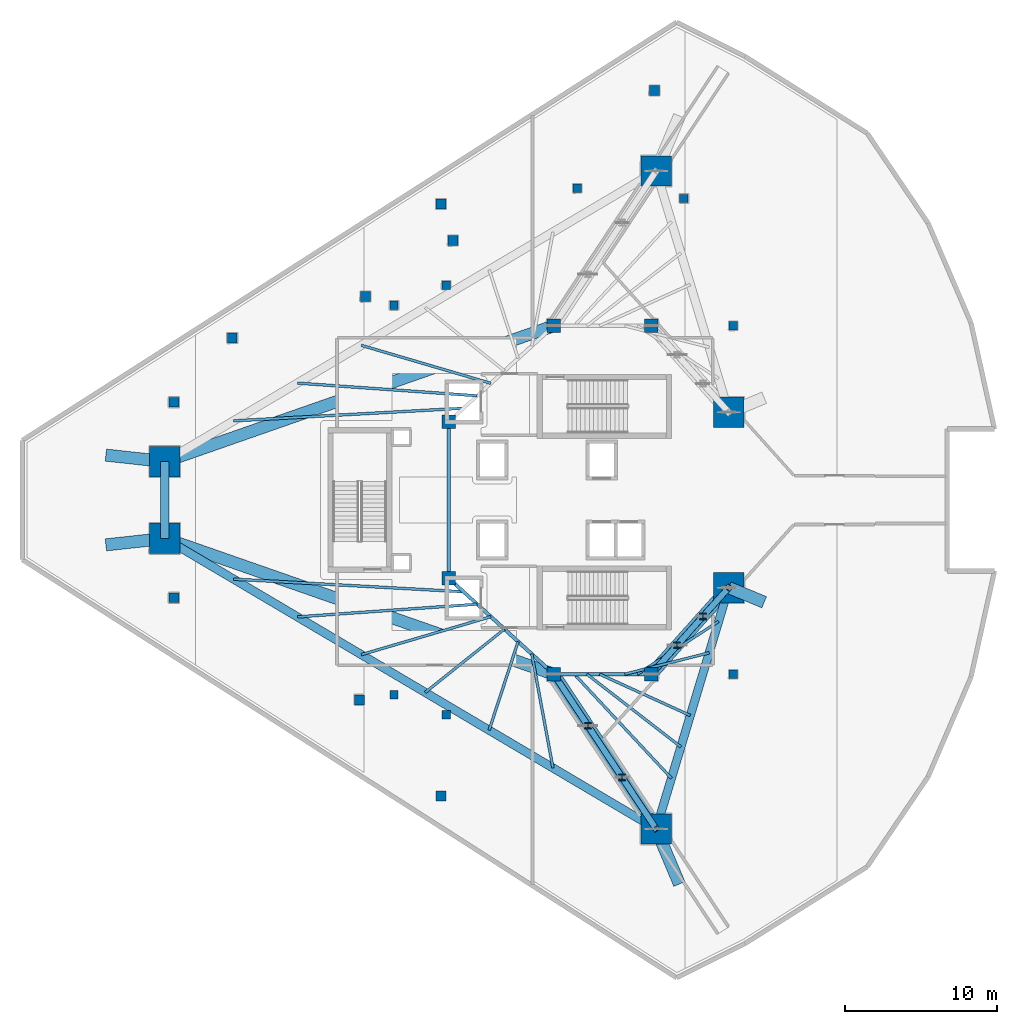
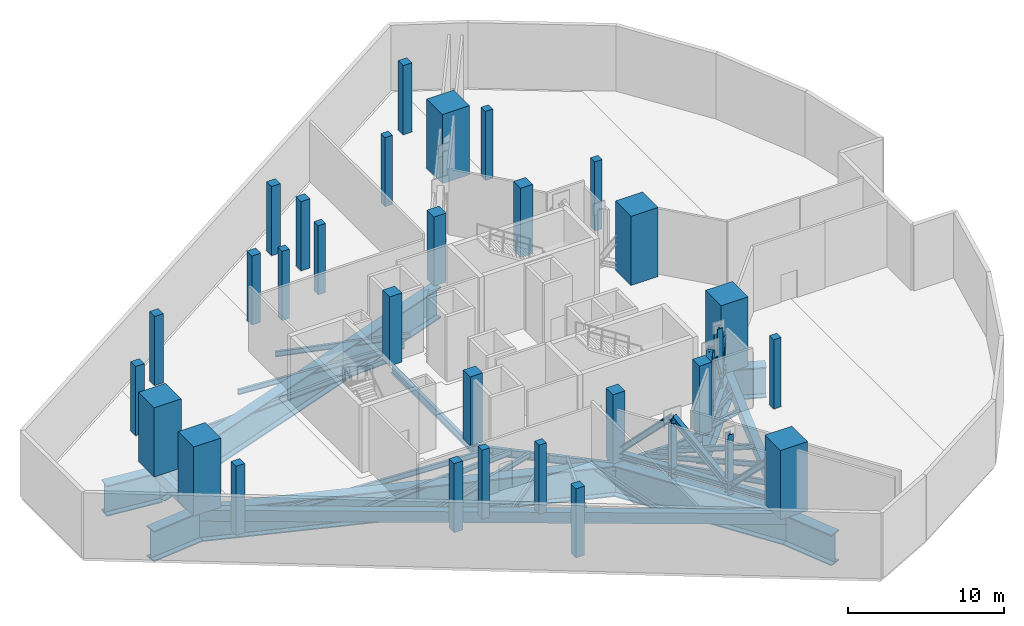
# One storey, part 1 of 13: 29 columns, 28 beams, 16 members.
"""IFC4 building model written with IfcOpenShell, lengths in metres."""

import ifcopenshell
import ifcopenshell.guid

model = None  # the IFC model being written
_history = None  # IfcOwnerHistory: only IFC2X3 demands one
_inside = {}  # id of a spatial element -> (the spatial element, [elements in it])
_under = {}  # id of a project, library or spatial element -> (it, [spatial elements below it])
_declared = {}  # id of a project -> (the project, [libraries it declares])
_typed = {}  # id of a type object -> (the type object, [elements of that type])
_made_of = {}  # id of a material, layer set ... -> (it, [elements and type objects made of it])


def new_model(schema):
    """Start an empty IFC model of exactly this schema.

    Asked for "IFC4X3", IfcOpenShell would pick the latest addendum, in which some entities
    have other attributes; the version numbers below select the first issue.
    IFC2X3 requires an IfcOwnerHistory on every rooted entity: one is made here for all.
    """
    global model, _history
    if schema == "IFC4X3":
        model = ifcopenshell.file(schema_version=(4, 3, 0, 0))
    else:
        model = ifcopenshell.file(schema=schema)
    _inside.clear()
    _under.clear()
    _declared.clear()
    _typed.clear()
    _made_of.clear()
    _history = None
    if model.schema == "IFC2X3":
        org = make("IfcOrganization", Name="unknown")
        user = make(
            "IfcPersonAndOrganization",
            ThePerson=make("IfcPerson", FamilyName="unknown"),
            TheOrganization=org,
        )
        app = make(
            "IfcApplication",
            ApplicationDeveloper=org,
            Version="unknown",
            ApplicationFullName="unknown",
            ApplicationIdentifier="unknown",
        )
        _history = make(
            "IfcOwnerHistory",
            OwningUser=user,
            OwningApplication=app,
            ChangeAction="ADDED",
            CreationDate=0,
        )
    return model


def make(cls, **values):
    """One entity of the class cls with the attributes given. An attribute that is None is left unset."""
    return model.create_entity(
        cls, **{name: value for name, value in values.items() if value is not None}
    )


def rooted(cls, **values):
    """An entity with a GlobalId (a new one), such as an element, a storey or a relation."""
    return make(cls, GlobalId=ifcopenshell.guid.new(), OwnerHistory=_history, **values)


def si_unit(unit_type, name, prefix=None):
    """IfcSIUnit, for example si_unit("LENGTHUNIT", "METRE", prefix="MILLI")."""
    return make("IfcSIUnit", UnitType=unit_type, Prefix=prefix, Name=name)


def assignment(units):
    """IfcUnitAssignment: the units of a project."""
    return None if units is None else make("IfcUnitAssignment", Units=units)


def point(xyz):
    """IfcCartesianPoint."""
    return None if xyz is None else make("IfcCartesianPoint", Coordinates=xyz)


def direction(xyz):
    """IfcDirection."""
    return None if xyz is None else make("IfcDirection", DirectionRatios=xyz)


def frame(location, z_axis=None, x_axis=None):
    """IfcAxis2Placement3D, a coordinate frame: its origin and axes. An axis left out is left unset."""
    return make(
        "IfcAxis2Placement3D",
        Location=point(location),
        Axis=direction(z_axis),
        RefDirection=direction(x_axis),
    )


def frame_2d(location, x_axis=None):
    """IfcAxis2Placement2D, a coordinate frame in the plane: its origin and x axis."""
    return make(
        "IfcAxis2Placement2D", Location=point(location), RefDirection=direction(x_axis)
    )


def origin():
    """The frame at (0, 0, 0) with its axes left unset."""
    return frame((0.0, 0.0, 0.0))


def origin_2d():
    """The frame at (0, 0) in the plane with its x axis left unset."""
    return frame_2d((0.0, 0.0))


def place(relative_to, where):
    """IfcLocalPlacement: puts the frame where relative to a parent placement (None: the world)."""
    return make(
        "IfcLocalPlacement", PlacementRelTo=relative_to, RelativePlacement=where
    )


def context(
    kind, dimensions, precision=None, world=None, true_north=None, identifier=None
):
    """IfcGeometricRepresentationContext, for example the 3D "Model" context."""
    return make(
        "IfcGeometricRepresentationContext",
        ContextIdentifier=identifier,
        ContextType=kind,
        CoordinateSpaceDimension=dimensions,
        Precision=precision,
        WorldCoordinateSystem=world,
        TrueNorth=true_north,
    )


def subcontext(parent, identifier, kind, view, scale=None):
    """IfcGeometricRepresentationSubContext, for example "Body" below "Model"."""
    return make(
        "IfcGeometricRepresentationSubContext",
        ContextIdentifier=identifier,
        ContextType=kind,
        ParentContext=parent,
        TargetScale=scale,
        TargetView=view,
    )


def project(units=None, contexts=None):
    """IfcProject with its units and contexts."""
    return rooted(
        "IfcProject",
        Name="project",
        RepresentationContexts=contexts,
        UnitsInContext=assignment(units),
    )


def spatial(cls, under=None, at=None, **own):
    """A site, building, storey or space (cls), placed at a placement, below another one or the project."""
    s = rooted(cls, ObjectPlacement=at, **own)
    if under is not None:
        _under.setdefault(under.id(), (under, []))[1].append(s)
    return s


def profile(cls, at=None, kind="AREA", **sizes):
    """A parametric profile (cls). Its sizes go by their IFC names, for example OverallWidth=200.0."""
    return make(cls, ProfileType=kind, Position=at, **sizes)


def rectangle(**sizes):
    """IfcRectangleProfileDef."""
    return profile("IfcRectangleProfileDef", **sizes)


def i_section(**sizes):
    """IfcIShapeProfileDef."""
    return profile("IfcIShapeProfileDef", **sizes)


def extrude(swept, where, along, depth):
    """IfcExtrudedAreaSolid: the profile swept, set in the frame where, extruded along a direction by depth."""
    return make(
        "IfcExtrudedAreaSolid",
        SweptArea=swept,
        Position=where,
        ExtrudedDirection=direction(along),
        Depth=depth,
    )


def shape(context_of_items, identifier, shape_type, items):
    """IfcShapeRepresentation: the items that make up one representation, for example the "Body"."""
    return make(
        "IfcShapeRepresentation",
        ContextOfItems=context_of_items,
        RepresentationIdentifier=identifier,
        RepresentationType=shape_type,
        Items=items,
    )


def material(Name=None, Category=None):
    """IfcMaterial."""
    return make("IfcMaterial", Name=Name, Category=Category)


def material_profile(
    of_material, cross_section, Name=None, Category=None, Priority=None
):
    """IfcMaterialProfile: a cross section and its material."""
    return make(
        "IfcMaterialProfile",
        Name=Name,
        Material=of_material,
        Profile=cross_section,
        Priority=Priority,
        Category=Category,
    )


def profile_set(profiles, Name=None, composite=None):
    """IfcMaterialProfileSet."""
    return make(
        "IfcMaterialProfileSet",
        Name=Name,
        MaterialProfiles=profiles,
        CompositeProfile=composite,
    )


def made_of(thing, what):
    """Note that an element or type object is made of a material, layer set ...; save() writes the relation."""
    if what is not None:
        _made_of.setdefault(what.id(), (what, []))[1].append(thing)
    return thing


def type_object(cls, material=None, **own):
    """A type object (cls), such as IfcWallType, which elements share."""
    return made_of(rooted(cls, **own), material)


def element(
    cls,
    number,
    at=None,
    inside=None,
    cuts=None,
    type_object=None,
    material=None,
    context=None,
    identifier="Body",
    shape_type=None,
    held_by="IfcProductDefinitionShape",
    body=None,
    shapes=None,
    **own,
):
    """One element of the class cls, such as IfcWall. Its Tag is "e" and its number.

    at: its placement. inside: the storey or other place that contains it. cuts: it is an
    opening in that element (IfcRelVoidsElement). A single representation is given by context,
    identifier, shape_type and body (its items); several are given by shapes. held_by: the class
    of the entity that holds the representations. save() writes the other relations.
    """
    e = rooted(cls, Tag="e%d" % number, ObjectPlacement=at, **own)
    if body is not None:
        shapes = [shape(context, identifier, shape_type, body)]
    if shapes is not None:
        e.Representation = make(held_by, Representations=shapes)
    if inside is not None:
        _inside.setdefault(inside.id(), (inside, []))[1].append(e)
    if cuts is not None:
        rooted(
            "IfcRelVoidsElement", RelatingBuildingElement=cuts, RelatedOpeningElement=e
        )
    if type_object is not None:
        _typed.setdefault(type_object.id(), (type_object, []))[1].append(e)
    return made_of(e, material)


def aggregate(whole, parts):
    """IfcRelAggregates: a whole, such as a stair, and the parts it consists of."""
    return rooted("IfcRelAggregates", RelatingObject=whole, RelatedObjects=parts)


def save(model, path):
    """Write the relations noted so far, then the file.

    IfcRelAggregates (storeys below a building ...), IfcRelContainedInSpatialStructure (elements
    in a storey), IfcRelDefinesByType, IfcRelAssociatesMaterial and IfcRelDeclares: one each for
    every whole, place, type object, material and project.
    """
    for whole, parts in _under.values():
        aggregate(whole, parts)
    for where, things in _inside.values():
        rooted(
            "IfcRelContainedInSpatialStructure",
            RelatedElements=things,
            RelatingStructure=where,
        )
    for kind, things in _typed.values():
        rooted("IfcRelDefinesByType", RelatedObjects=things, RelatingType=kind)
    for what, things in _made_of.values():
        rooted("IfcRelAssociatesMaterial", RelatedObjects=things, RelatingMaterial=what)
    for by, libraries in _declared.values():
        rooted("IfcRelDeclares", RelatingContext=by, RelatedDefinitions=libraries)
    model.write(path)


model = new_model("IFC4")

# Units and contexts
model_context = context("Model", 3, precision=1e-05, world=origin(), true_north=direction((0.0, 1.0)))
body_context = subcontext(model_context, "Body", "Model", "MODEL_VIEW")
ifc_project = project(units=[si_unit("LENGTHUNIT", "METRE"), si_unit("AREAUNIT", "SQUARE_METRE"), si_unit("VOLUMEUNIT", "CUBIC_METRE"), si_unit("PLANEANGLEUNIT", "RADIAN"), si_unit("MASSUNIT", "GRAM", prefix="KILO")], contexts=[model_context])

# Site, building, storey
site_placement = place(None, origin())
site = spatial("IfcSite", under=ifc_project, at=site_placement, CompositionType="ELEMENT")
building_placement = place(site_placement, origin())
building = spatial("IfcBuilding", under=site, at=building_placement, Name="Qorvath Tower", CompositionType="ELEMENT")
storey_placement = place(building_placement, frame((0.0, 0.0, 174.60009765625)))
storey = spatial("IfcBuildingStorey", under=building, at=storey_placement, Name="L40", CompositionType="ELEMENT", Elevation=174.60009765625)

# Columns
ifc_material_1 = material(Name="Concrete C60/75", Category="concrete")
ifc_material_profile_1 = material_profile(ifc_material_1, rectangle(XDim=2.0, YDim=2.0, at=origin_2d()), Name="MC 2000x2000")
ifc_profile_set_1 = profile_set([ifc_material_profile_1], Name="Concrete C60/75")
column_type_1 = type_object("IfcColumnType", Name="COL-MC3", PredefinedType="COLUMN", material=ifc_profile_set_1)
for number, where, z_axis, x_axis, name in (
    (1, (-49.171875, 2.52783203125, 0.0), (0.0, 0.0, 1.0), (1.0, 0.0, 0.0), "Composite Mega-Column MC1 L40"),
    (2, (-49.171875, -2.52783203125, 0.0), (0.0, 0.0, 1.0), (1.0, 0.0, 0.0), "Composite Mega-Column MC2 L40"),
    (3, (-16.87158203125, -21.627197265625, 0.0), (0.0, 0.0, 1.0), (1.0, 0.0, 0.0), "Composite Mega-Column MC3 L40"),
    (4, (-12.0966796875, -5.7578125, 0.0), (0.0, 0.0, 1.0), (1.0, 0.0, 0.0), "Composite Mega-Column MC4 L40"),
    (5, (-12.0966796875, 5.7578125, 0.0), (0.0, 0.0, 1.0), (1.0, 0.0, 0.0), "Composite Mega-Column MC5 L40"),
    (6, (-16.87158203125, 21.627197265625, 0.0), (0.0, 0.0, 1.0), (1.0, 0.0, 0.0), "Composite Mega-Column MC6 L40"),
):
    element("IfcColumn", number, at=place(storey_placement, frame(where, z_axis=z_axis, x_axis=x_axis)), inside=storey, type_object=column_type_1, Name=name, PredefinedType="COLUMN", context=body_context, shape_type="SweptSolid", body=[
        extrude(rectangle(XDim=2.0, YDim=2.0, at=origin_2d()), origin(), (0.0, 0.0, 1.0), 5.39990234375),
    ])
ifc_material_2 = material(Name="Concrete C50/60", Category="concrete")
ifc_material_profile_2 = material_profile(ifc_material_2, rectangle(XDim=0.89990234375, YDim=0.89990234375, at=origin_2d()), Name="RC 900x900")
ifc_profile_set_2 = profile_set([ifc_material_profile_2], Name="Concrete C50/60")
column_type_2 = type_object("IfcColumnType", Name="COL-RC3", PredefinedType="COLUMN", material=ifc_profile_set_2)
for number, where, z_axis, x_axis, name in (
    (7, (-23.60009765625, 11.449951171875, 0.0), (0.0, 0.0, 1.0), (1.0, 0.0, 0.0), "Core Spine Column CC1 L40"),
    (8, (-17.199951171875, 11.449951171875, 0.0), (0.0, 0.0, 1.0), (1.0, 0.0, 0.0), "Core Spine Column CC2 L40"),
    (9, (-17.199951171875, -11.449951171875, 0.0), (0.0, 0.0, 1.0), (1.0, 0.0, 0.0), "Core Spine Column CC3 L40"),
    (10, (-23.60009765625, -11.449951171875, 0.0), (0.0, 0.0, 1.0), (1.0, 0.0, 0.0), "Core Spine Column CC4 L40"),
    (11, (-30.5, 5.14990234375, 0.0), (0.0, 0.0, 1.0), (1.0, 0.0, 0.0), "Core Spine Column CC5 L40"),
    (12, (-30.5, -5.14990234375, 0.0), (0.0, 0.0, 1.0), (1.0, 0.0, 0.0), "Core Spine Column CC6 L40"),
):
    element("IfcColumn", number, at=place(storey_placement, frame(where, z_axis=z_axis, x_axis=x_axis)), inside=storey, type_object=column_type_2, Name=name, PredefinedType="COLUMN", context=body_context, shape_type="SweptSolid", body=[
        extrude(rectangle(XDim=0.89990234375, YDim=0.89990234375, at=origin_2d()), origin(), (0.0, 0.0, 1.0), 5.39990234375),
    ])
ifc_material_3 = material(Name="Concrete C45/55", Category="concrete")
ifc_material_profile_3 = material_profile(ifc_material_3, rectangle(XDim=0.64990234375, YDim=0.64990234375, at=origin_2d()), Name="RC 650x650")
ifc_profile_set_3 = profile_set([ifc_material_profile_3], Name="Concrete C45/55")
column_type_3 = type_object("IfcColumnType", Name="COL-RC6", PredefinedType="COLUMN", material=ifc_profile_set_3)
for number, where, z_axis, x_axis, name in (
    (13, (-31.01611328125, 19.46044921875, 0.0), (0.0, 0.0, 1.0), (1.0, 0.0, 0.0), "Loggia Frame Pier Column LGD1 L40"),
    (14, (-31.01611328125, -19.46044921875, 0.0), (0.0, 0.0, 1.0), (1.0, 0.0, 0.0), "Loggia Frame Pier Column LGD2 L40"),
    (15, (-44.736328125, 10.65234375, 0.0), (0.0, 0.0, 1.0), (1.0, 0.0, 0.0), "Loggia Frame Pier Column LGD3 L40"),
    (16, (-48.578369140625, 6.424560546875, 0.0), (0.0, 0.0, 1.0), (1.0, 0.0, 0.0), "Loggia Frame Pier Column LGE1 L40"),
    (17, (-48.578369140625, -6.424560546875, 0.0), (0.0, 0.0, 1.0), (1.0, 0.0, 0.0), "Loggia Frame Pier Column LGE2 L40"),
    (18, (-16.981201171875, 26.92919921875, 0.0), (0.0, 0.0, 1.0), (1.0, 0.0, 0.0), "Loggia Frame Pier Column LGE3 L40"),
    (19, (-35.980712890625, 13.380859375, 0.0), (0.0, 0.0, 1.0), (1.0, 0.0, 0.0), "Loggia Frame Pier Column LGF1 L40"),
    (20, (-36.36474609375, -13.135498046875, 0.0), (0.0, 0.0, 1.0), (1.0, 0.0, 0.0), "Loggia Frame Pier Column LGF2 L40"),
    (21, (-30.224853515625, 17.0595703125, 0.0), (0.0, 0.0, 1.0), (1.0, 0.0, 0.0), "Loggia Frame Pier Column LGF3 L40"),
):
    element("IfcColumn", number, at=place(storey_placement, frame(where, z_axis=z_axis, x_axis=x_axis)), inside=storey, type_object=column_type_3, Name=name, PredefinedType="COLUMN", context=body_context, shape_type="SweptSolid", body=[
        extrude(rectangle(XDim=0.64990234375, YDim=0.64990234375, at=origin_2d()), origin(), (0.0, 0.0, 1.0), 5.39990234375),
    ])
ifc_material_4 = material(Name="Concrete C45/55", Category="concrete")
ifc_material_profile_4 = material_profile(ifc_material_4, rectangle(XDim=0.550048828125, YDim=0.550048828125, at=origin_2d()), Name="RC 550x550")
ifc_profile_set_4 = profile_set([ifc_material_profile_4], Name="Concrete C45/55")
column_type_4 = type_object("IfcColumnType", Name="COL-RC7", PredefinedType="COLUMN", material=ifc_profile_set_4)
for number, where, z_axis, x_axis, name in (
    (22, (-34.104248046875, 12.79248046875, 0.0), (0.0, 0.0, 1.0), (1.0, 0.0, 0.0), "Loggia Frame Pier Column LGG1 L40"),
    (23, (-34.104248046875, -12.79248046875, 0.0), (0.0, 0.0, 1.0), (1.0, 0.0, 0.0), "Loggia Frame Pier Column LGG2 L40"),
    (24, (-22.05322265625, 20.494873046875, 0.0), (0.0, 0.0, 1.0), (1.0, 0.0, 0.0), "Loggia Frame Pier Column LGG3 L40"),
    (25, (-30.67724609375, 14.124267578125, 0.0), (0.0, 0.0, 1.0), (1.0, 0.0, 0.0), "Loggia Frame Pier Column LGH1 L40"),
    (26, (-30.67724609375, -14.124267578125, 0.0), (0.0, 0.0, 1.0), (1.0, 0.0, 0.0), "Loggia Frame Pier Column LGH2 L40"),
    (27, (-15.046142578125, 19.818115234375, 0.0), (0.0, 0.0, 1.0), (1.0, 0.0, 0.0), "Loggia Frame Pier Column LGH3 L40"),
    (28, (-11.800048828125, -11.449951171875, 0.0), (0.0, 0.0, 1.0), (1.0, 0.0, 0.0), "Central Slot Jamb Column SC1 L40"),
    (29, (-11.800048828125, 11.449951171875, 0.0), (0.0, 0.0, 1.0), (1.0, 0.0, 0.0), "Central Slot Jamb Column SC2 L40"),
):
    element("IfcColumn", number, at=place(storey_placement, frame(where, z_axis=z_axis, x_axis=x_axis)), inside=storey, type_object=column_type_4, Name=name, PredefinedType="COLUMN", context=body_context, shape_type="SweptSolid", body=[
        extrude(rectangle(XDim=0.550048828125, YDim=0.550048828125, at=origin_2d()), origin(), (0.0, 0.0, 1.0), 5.39990234375),
    ])

# Beams
ifc_material_5 = material(Name="Steel ASTM A992 Grade 50", Category="steel")
ifc_material_profile_5 = material_profile(ifc_material_5, i_section(OverallWidth=0.22998046875, OverallDepth=0.616943359375, WebThickness=0.01318359375, FlangeThickness=0.022216796875, FilletRadius=0.014892578125, at=origin_2d()), Name="W24x94")
ifc_profile_set_5 = profile_set([ifc_material_profile_5], Name="Steel ASTM A992 Grade 50")
beam_type_1 = type_object("IfcBeamType", Name="BM-FG6", PredefinedType="BEAM", material=ifc_profile_set_5)
beam_1_placement = place(storey_placement, frame((-17.199951171875, -11.449951171875, -0.608642578125), z_axis=(-1.0, 0.0, 0.0), x_axis=(0.0, -1.0, 0.0)))
element("IfcBeam", 30, at=beam_1_placement, inside=storey, type_object=beam_type_1, Name="Core Ring Girder CC3-CC4 L40", PredefinedType="BEAM", context=body_context, shape_type="SweptSolid", body=[
    extrude(i_section(OverallWidth=0.22998046875, OverallDepth=0.616943359375, WebThickness=0.01318359375, FlangeThickness=0.022216796875, FilletRadius=0.014892578125, at=origin_2d()), origin(), (0.0, 0.0, 1.0), 6.400146484375),
])
beam_2_placement = place(storey_placement, frame((-23.60009765625, -11.449951171875, -0.608642578125), z_axis=(-0.73847813985, 0.6742774184, 0.0), x_axis=(-0.6742774184, -0.73847813985, 0.0)))
element("IfcBeam", 31, at=beam_2_placement, inside=storey, type_object=beam_type_1, Name="Core Ring Girder CC4-CC6 L40", PredefinedType="BEAM", context=body_context, shape_type="SweptSolid", body=[
    extrude(i_section(OverallWidth=0.22998046875, OverallDepth=0.616943359375, WebThickness=0.01318359375, FlangeThickness=0.022216796875, FilletRadius=0.014892578125, at=origin_2d()), origin(), (0.0, 0.0, 1.0), 9.343505859375),
])
beam_3_placement = place(storey_placement, frame((-30.5, -5.14990234375, -0.608642578125), z_axis=(0.0, 1.0, 0.0), x_axis=(-1.0, 0.0, 0.0)))
element("IfcBeam", 32, at=beam_3_placement, inside=storey, type_object=beam_type_1, Name="Core Ring Girder CC6-CC5 L40", PredefinedType="BEAM", context=body_context, shape_type="SweptSolid", body=[
    extrude(i_section(OverallWidth=0.22998046875, OverallDepth=0.616943359375, WebThickness=0.01318359375, FlangeThickness=0.022216796875, FilletRadius=0.014892578125, at=origin_2d()), origin(), (0.0, 0.0, 1.0), 10.2998046875),
])
ifc_material_6 = material(Name="Steel ASTM A992 Grade 50", Category="steel")
ifc_material_profile_6 = material_profile(ifc_material_6, i_section(OverallWidth=0.177978515625, OverallDepth=0.406005859375, WebThickness=0.0078125, FlangeThickness=0.0126953125, FilletRadius=0.010986328125, at=origin_2d()), Name="W16x40")
ifc_profile_set_6 = profile_set([ifc_material_profile_6], Name="Steel ASTM A992 Grade 50")
beam_type_2 = type_object("IfcBeamType", Name="BM-FJ3", PredefinedType="JOIST", material=ifc_profile_set_6)
beam_4_placement = place(storey_placement, frame((-18.095947265625, -11.449951171875, -0.503173828125), z_axis=(0.838041756057, 0.545606098853, 0.0), x_axis=(-0.545606098853, 0.838041756057, 0.0)))
element("IfcBeam", 33, at=beam_4_placement, inside=storey, type_object=beam_type_2, Name="Composite Floor Joist SE1 L40", PredefinedType="JOIST", context=body_context, shape_type="SweptSolid", body=[
    extrude(i_section(OverallWidth=0.177978515625, OverallDepth=0.406005859375, WebThickness=0.0078125, FlangeThickness=0.0126953125, FilletRadius=0.010986328125, at=origin_2d()), origin(), (0.0, 0.0, 1.0), 6.36083984375),
])
beam_5_placement = place(storey_placement, frame((-18.927978515625, -11.449951171875, -0.503173828125), z_axis=(0.969231577698, 0.246150662794, 0.0), x_axis=(-0.246150662794, 0.969231577698, 0.0)))
element("IfcBeam", 34, at=beam_5_placement, inside=storey, type_object=beam_type_2, Name="Composite Floor Joist SE2 L40", PredefinedType="JOIST", context=body_context, shape_type="SweptSolid", body=[
    extrude(i_section(OverallWidth=0.177978515625, OverallDepth=0.406005859375, WebThickness=0.0078125, FlangeThickness=0.0126953125, FilletRadius=0.010986328125, at=origin_2d()), origin(), (0.0, 0.0, 1.0), 5.718017578125),
])
beam_6_placement = place(storey_placement, frame((-20.592041015625, -11.449951171875, -0.503173828125), z_axis=(0.909945081179, -0.414728765868, 0.0), x_axis=(0.414728765868, 0.909945081179, 0.0)))
element("IfcBeam", 35, at=beam_6_placement, inside=storey, type_object=beam_type_2, Name="Composite Floor Joist SE4 L40", PredefinedType="JOIST", context=body_context, shape_type="SweptSolid", body=[
    extrude(i_section(OverallWidth=0.177978515625, OverallDepth=0.406005859375, WebThickness=0.0078125, FlangeThickness=0.0126953125, FilletRadius=0.010986328125, at=origin_2d()), origin(), (0.0, 0.0, 1.0), 6.554931640625),
])
beam_7_placement = place(storey_placement, frame((-21.424072265625, -11.449951171875, -0.503173828125), z_axis=(0.790693445503, -0.612212279555, 0.0), x_axis=(0.612212279555, 0.790693445503, 0.0)))
element("IfcBeam", 36, at=beam_7_placement, inside=storey, type_object=beam_type_2, Name="Composite Floor Joist SE5 L40", PredefinedType="JOIST", context=body_context, shape_type="SweptSolid", body=[
    extrude(i_section(OverallWidth=0.177978515625, OverallDepth=0.406005859375, WebThickness=0.0078125, FlangeThickness=0.0126953125, FilletRadius=0.010986328125, at=origin_2d()), origin(), (0.0, 0.0, 1.0), 7.810546875),
])
beam_8_placement = place(storey_placement, frame((-22.256103515625, -11.449951171875, -0.503173828125), z_axis=(0.682249490937, -0.731119437654, 0.0), x_axis=(0.731119437654, 0.682249490937, 0.0)))
element("IfcBeam", 37, at=beam_8_placement, inside=storey, type_object=beam_type_2, Name="Composite Floor Joist SE6 L40", PredefinedType="JOIST", context=body_context, shape_type="SweptSolid", body=[
    extrude(i_section(OverallWidth=0.177978515625, OverallDepth=0.406005859375, WebThickness=0.0078125, FlangeThickness=0.0126953125, FilletRadius=0.010986328125, at=origin_2d()), origin(), (0.0, 0.0, 1.0), 9.362060546875),
])
beam_9_placement = place(storey_placement, frame((-29.533935546875, 6.031982421875, -0.503173828125), z_axis=(-0.998494745044, -0.054847462293, 0.0), x_axis=(0.054847462293, -0.998494745044, 0.0)))
element("IfcBeam", 38, at=beam_9_placement, inside=storey, type_object=beam_type_2, Name="Composite Floor Joist NW1 L40", PredefinedType="JOIST", context=body_context, shape_type="SweptSolid", body=[
    extrude(i_section(OverallWidth=0.177978515625, OverallDepth=0.406005859375, WebThickness=0.0078125, FlangeThickness=0.0126953125, FilletRadius=0.010986328125, at=origin_2d()), origin(), (0.0, 0.0, 1.0), 15.138671875),
])
beam_10_placement = place(storey_placement, frame((-28.636962890625, 6.85107421875, -0.503173828125), z_axis=(-0.997520476731, 0.070376832146, 0.0), x_axis=(-0.070376832146, -0.997520476731, 0.0)))
element("IfcBeam", 39, at=beam_10_placement, inside=storey, type_object=beam_type_2, Name="Composite Floor Joist NW2 L40", PredefinedType="JOIST", context=body_context, shape_type="SweptSolid", body=[
    extrude(i_section(OverallWidth=0.177978515625, OverallDepth=0.406005859375, WebThickness=0.0078125, FlangeThickness=0.0126953125, FilletRadius=0.010986328125, at=origin_2d()), origin(), (0.0, 0.0, 1.0), 11.84326171875),
])
beam_11_placement = place(storey_placement, frame((-27.739990234375, 7.669921875, -0.503173828125), z_axis=(-0.959544992264, 0.281555337049, 0.0), x_axis=(-0.281555337049, -0.959544992264, 0.0)))
element("IfcBeam", 40, at=beam_11_placement, inside=storey, type_object=beam_type_2, Name="Composite Floor Joist NW3 L40", PredefinedType="JOIST", context=body_context, shape_type="SweptSolid", body=[
    extrude(i_section(OverallWidth=0.177978515625, OverallDepth=0.406005859375, WebThickness=0.0078125, FlangeThickness=0.0126953125, FilletRadius=0.010986328125, at=origin_2d()), origin(), (0.0, 0.0, 1.0), 8.87060546875),
])
beam_12_placement = place(storey_placement, frame((-29.533935546875, -6.031982421875, -0.503173828125), z_axis=(-0.998494745044, 0.054847462293, 0.0), x_axis=(-0.054847462293, -0.998494745044, 0.0)))
element("IfcBeam", 41, at=beam_12_placement, inside=storey, type_object=beam_type_2, Name="Composite Floor Joist SW1 L40", PredefinedType="JOIST", context=body_context, shape_type="SweptSolid", body=[
    extrude(i_section(OverallWidth=0.177978515625, OverallDepth=0.406005859375, WebThickness=0.0078125, FlangeThickness=0.0126953125, FilletRadius=0.010986328125, at=origin_2d()), origin(), (0.0, 0.0, 1.0), 15.138671875),
])
beam_13_placement = place(storey_placement, frame((-28.636962890625, -6.85107421875, -0.503173828125), z_axis=(-0.997520476731, -0.070376832146, 0.0), x_axis=(0.070376832146, -0.997520476731, 0.0)))
element("IfcBeam", 42, at=beam_13_placement, inside=storey, type_object=beam_type_2, Name="Composite Floor Joist SW2 L40", PredefinedType="JOIST", context=body_context, shape_type="SweptSolid", body=[
    extrude(i_section(OverallWidth=0.177978515625, OverallDepth=0.406005859375, WebThickness=0.0078125, FlangeThickness=0.0126953125, FilletRadius=0.010986328125, at=origin_2d()), origin(), (0.0, 0.0, 1.0), 11.84326171875),
])
beam_14_placement = place(storey_placement, frame((-27.739990234375, -7.669921875, -0.503173828125), z_axis=(-0.959544992264, -0.281555337049, 0.0), x_axis=(0.281555337049, -0.959544992264, 0.0)))
element("IfcBeam", 43, at=beam_14_placement, inside=storey, type_object=beam_type_2, Name="Composite Floor Joist SW3 L40", PredefinedType="JOIST", context=body_context, shape_type="SweptSolid", body=[
    extrude(i_section(OverallWidth=0.177978515625, OverallDepth=0.406005859375, WebThickness=0.0078125, FlangeThickness=0.0126953125, FilletRadius=0.010986328125, at=origin_2d()), origin(), (0.0, 0.0, 1.0), 8.87060546875),
])
beam_15_placement = place(storey_placement, frame((-26.843017578125, -8.489013671875, -0.503173828125), z_axis=(-0.781336553339, -0.624109918537, 0.0), x_axis=(0.624109918537, -0.781336553339, 0.0)))
element("IfcBeam", 44, at=beam_15_placement, inside=storey, type_object=beam_type_2, Name="Composite Floor Joist SW4 L40", PredefinedType="JOIST", context=body_context, shape_type="SweptSolid", body=[
    extrude(i_section(OverallWidth=0.177978515625, OverallDepth=0.406005859375, WebThickness=0.0078125, FlangeThickness=0.0126953125, FilletRadius=0.010986328125, at=origin_2d()), origin(), (0.0, 0.0, 1.0), 6.667724609375),
])
beam_16_placement = place(storey_placement, frame((-25.946044921875, -9.30810546875, -0.503173828125), z_axis=(-0.311228747452, -0.950335028692, 0.0), x_axis=(0.950335028692, -0.311228747452, 0.0)))
element("IfcBeam", 45, at=beam_16_placement, inside=storey, type_object=beam_type_2, Name="Composite Floor Joist SW5 L40", PredefinedType="JOIST", context=body_context, shape_type="SweptSolid", body=[
    extrude(i_section(OverallWidth=0.177978515625, OverallDepth=0.406005859375, WebThickness=0.0078125, FlangeThickness=0.0126953125, FilletRadius=0.010986328125, at=origin_2d()), origin(), (0.0, 0.0, 1.0), 6.129638671875),
])
beam_17_placement = place(storey_placement, frame((-25.049072265625, -10.126953125, -0.503173828125), z_axis=(0.183026775988, -0.983107928598, 0.0), x_axis=(0.983107928598, 0.183026775988, 0.0)))
element("IfcBeam", 46, at=beam_17_placement, inside=storey, type_object=beam_type_2, Name="Composite Floor Joist SW6 L40", PredefinedType="JOIST", context=body_context, shape_type="SweptSolid", body=[
    extrude(i_section(OverallWidth=0.177978515625, OverallDepth=0.406005859375, WebThickness=0.0078125, FlangeThickness=0.0126953125, FilletRadius=0.010986328125, at=origin_2d()), origin(), (0.0, 0.0, 1.0), 7.617919921875),
])
ifc_material_7 = material(Name="Concrete C50/60", Category="concrete")
ifc_material_profile_7 = material_profile(ifc_material_7, rectangle(XDim=0.550048828125, YDim=0.85009765625, at=origin_2d()), Name="RCB 850x550")
ifc_profile_set_7 = profile_set([ifc_material_profile_7], Name="Concrete C50/60")
beam_type_3 = type_object("IfcBeamType", Name="BM-RCB2", PredefinedType="SPANDREL", material=ifc_profile_set_7)
beam_18_placement = place(storey_placement, frame((-49.171875, 2.52783203125, -0.72509765625), z_axis=(0.0, -1.0, 0.0), x_axis=(1.0, 0.0, 0.0)))
element("IfcBeam", 47, at=beam_18_placement, inside=storey, type_object=beam_type_3, Name="Perimeter Loggia Frame Beam MC1-MC2 L40", PredefinedType="SPANDREL", context=body_context, shape_type="SweptSolid", body=[
    extrude(rectangle(XDim=0.550048828125, YDim=0.85009765625, at=origin_2d()), origin(), (0.0, 0.0, 1.0), 5.0556640625),
])
beam_19_placement = place(storey_placement, frame((-49.171875, -2.52783203125, -0.72509765625), z_axis=(0.860776759786, -0.50898268125, 0.0), x_axis=(0.50898268125, 0.860776759786, 0.0)))
element("IfcBeam", 48, at=beam_19_placement, inside=storey, type_object=beam_type_3, Name="Perimeter Loggia Frame Beam MC2-MC3 L40", PredefinedType="SPANDREL", context=body_context, shape_type="SweptSolid", body=[
    extrude(rectangle(XDim=0.550048828125, YDim=0.85009765625, at=origin_2d()), origin(), (0.0, 0.0, 1.0), 37.524658203125),
])
beam_20_placement = place(storey_placement, frame((-16.87158203125, -21.627197265625, -0.72509765625), z_axis=(0.28812763802, 0.957592013443, 0.0), x_axis=(-0.957592013443, 0.28812763802, 0.0)))
element("IfcBeam", 49, at=beam_20_placement, inside=storey, type_object=beam_type_3, Name="Perimeter Loggia Frame Beam MC3-MC4 L40", PredefinedType="SPANDREL", context=body_context, shape_type="SweptSolid", body=[
    extrude(rectangle(XDim=0.550048828125, YDim=0.85009765625, at=origin_2d()), origin(), (0.0, 0.0, 1.0), 16.572265625),
])
ifc_material_8 = material(Name="Steel ASTM A572 Grade 50", Category="steel")
ifc_material_profile_8 = material_profile(ifc_material_8, i_section(OverallWidth=0.800048828125, OverallDepth=2.39990234375, WebThickness=0.044921875, FlangeThickness=0.090087890625, FilletRadius=0.02490234375, at=origin_2d()), Name="WTG 2400x800")
ifc_profile_set_8 = profile_set([ifc_material_profile_8], Name="Steel ASTM A572 Grade 50")
beam_type_4 = type_object("IfcBeamType", Name="BM-TG2", PredefinedType="BEAM", material=ifc_profile_set_8)
beam_21_placement = place(storey_placement, frame((-53.04931640625, 2.95068359375, -1.5), z_axis=(0.994106102094, -0.108411520515, 0.0), x_axis=(0.108411520515, 0.994106102094, 0.0)))
element("IfcBeam", 50, at=beam_21_placement, inside=storey, type_object=beam_type_4, Name="Zone Step Transfer Tie MC1 L40", PredefinedType="BEAM", context=body_context, shape_type="SweptSolid", body=[
    extrude(i_section(OverallWidth=0.800048828125, OverallDepth=2.39990234375, WebThickness=0.044921875, FlangeThickness=0.090087890625, FilletRadius=0.02490234375, at=origin_2d()), origin(), (0.0, 0.0, 1.0), 3.900390625),
])
beam_22_placement = place(storey_placement, frame((-49.171875, 2.52783203125, -1.5), z_axis=(0.944180295145, 0.32942915818, 0.0), x_axis=(-0.32942915818, 0.944180295145, 0.0)))
element("IfcBeam", 51, at=beam_22_placement, inside=storey, type_object=beam_type_4, Name="Zone Step Transfer Girder CC5-MC1 L40", PredefinedType="BEAM", context=body_context, shape_type="SweptSolid", body=[
    extrude(i_section(OverallWidth=0.800048828125, OverallDepth=2.39990234375, WebThickness=0.044921875, FlangeThickness=0.090087890625, FilletRadius=0.02490234375, at=origin_2d()), origin(), (0.0, 0.0, 1.0), 27.08349609375),
])
beam_23_placement = place(storey_placement, frame((-53.04931640625, -2.95068359375, -1.5), z_axis=(0.994106102094, 0.108411520515, 0.0), x_axis=(-0.108411520515, 0.994106102094, 0.0)))
element("IfcBeam", 52, at=beam_23_placement, inside=storey, type_object=beam_type_4, Name="Zone Step Transfer Tie MC2 L40", PredefinedType="BEAM", context=body_context, shape_type="SweptSolid", body=[
    extrude(i_section(OverallWidth=0.800048828125, OverallDepth=2.39990234375, WebThickness=0.044921875, FlangeThickness=0.090087890625, FilletRadius=0.02490234375, at=origin_2d()), origin(), (0.0, 0.0, 1.0), 3.900390625),
])
beam_24_placement = place(storey_placement, frame((-49.171875, -2.52783203125, -1.5), z_axis=(0.944180295145, -0.32942915818, 0.0), x_axis=(0.32942915818, 0.944180295145, 0.0)))
element("IfcBeam", 53, at=beam_24_placement, inside=storey, type_object=beam_type_4, Name="Zone Step Transfer Girder CC6-MC2 L40", PredefinedType="BEAM", context=body_context, shape_type="SweptSolid", body=[
    extrude(i_section(OverallWidth=0.800048828125, OverallDepth=2.39990234375, WebThickness=0.044921875, FlangeThickness=0.090087890625, FilletRadius=0.02490234375, at=origin_2d()), origin(), (0.0, 0.0, 1.0), 27.08349609375),
])
beam_25_placement = place(storey_placement, frame((-15.34423828125, -25.24609375, -1.5), z_axis=(-0.388834882539, 0.921307459061, 0.0), x_axis=(-0.921307459061, -0.388834882539, 0.0)))
element("IfcBeam", 54, at=beam_25_placement, inside=storey, type_object=beam_type_4, Name="Zone Step Transfer Tie MC3 L40", PredefinedType="BEAM", context=body_context, shape_type="SweptSolid", body=[
    extrude(i_section(OverallWidth=0.800048828125, OverallDepth=2.39990234375, WebThickness=0.044921875, FlangeThickness=0.090087890625, FilletRadius=0.02490234375, at=origin_2d()), origin(), (0.0, 0.0, 1.0), 3.927978515625),
])
beam_26_placement = place(storey_placement, frame((-16.87158203125, -21.627197265625, -1.5), z_axis=(-0.551500517741, 0.834174549439, 0.0), x_axis=(-0.834174549439, -0.551500517741, 0.0)))
element("IfcBeam", 55, at=beam_26_placement, inside=storey, type_object=beam_type_4, Name="Zone Step Transfer Girder CC4-MC3 L40", PredefinedType="BEAM", context=body_context, shape_type="SweptSolid", body=[
    extrude(i_section(OverallWidth=0.800048828125, OverallDepth=2.39990234375, WebThickness=0.044921875, FlangeThickness=0.090087890625, FilletRadius=0.02490234375, at=origin_2d()), origin(), (0.0, 0.0, 1.0), 12.200439453125),
])
beam_27_placement = place(storey_placement, frame((-9.770263671875, -6.721435546875, -1.5), z_axis=(-0.923880939159, 0.3826800364, 0.0), x_axis=(-0.3826800364, -0.923880939159, 0.0)))
element("IfcBeam", 56, at=beam_27_placement, inside=storey, type_object=beam_type_4, Name="Zone Step Transfer Tie MC4 L40", PredefinedType="BEAM", context=body_context, shape_type="SweptSolid", body=[
    extrude(i_section(OverallWidth=0.800048828125, OverallDepth=2.39990234375, WebThickness=0.044921875, FlangeThickness=0.090087890625, FilletRadius=0.02490234375, at=origin_2d()), origin(), (0.0, 0.0, 1.0), 2.51806640625),
])
beam_28_placement = place(storey_placement, frame((-12.0966796875, -5.7578125, -1.5), z_axis=(-0.667543184261, -0.744571082669, 0.0), x_axis=(0.744571082669, -0.667543184261, 0.0)))
element("IfcBeam", 57, at=beam_28_placement, inside=storey, type_object=beam_type_4, Name="Zone Step Transfer Girder CC3-MC4 L40", PredefinedType="BEAM", context=body_context, shape_type="SweptSolid", body=[
    extrude(i_section(OverallWidth=0.800048828125, OverallDepth=2.39990234375, WebThickness=0.044921875, FlangeThickness=0.090087890625, FilletRadius=0.02490234375, at=origin_2d()), origin(), (0.0, 0.0, 1.0), 7.644775390625),
])

# Members
ifc_material_9 = material(Name="Steel ASTM A913 Grade 65", Category="steel")
ifc_material_profile_9 = material_profile(ifc_material_9, i_section(OverallWidth=0.4189453125, OverallDepth=0.455078125, WebThickness=0.0419921875, FlangeThickness=0.067626953125, FilletRadius=0.02490234375, at=origin_2d()), Name="W14x370")
ifc_profile_set_9 = profile_set([ifc_material_profile_9], Name="Steel ASTM A913 Grade 65")
member_type_1 = type_object("IfcMemberType", Name="MEM-OT2", PredefinedType="CHORD", material=ifc_profile_set_9)
member_1_placement = place(storey_placement, frame((-17.199951171875, -11.449951171875, 0.449951171875), z_axis=(0.66753952077, 0.744574367146, 0.0), x_axis=(-0.744574367146, 0.66753952077, 0.0)))
element("IfcMember", 58, at=member_1_placement, inside=storey, type_object=member_type_1, Name="Outrigger and Belt Truss Bottom Chord OB2-3.1", PredefinedType="CHORD", context=body_context, shape_type="SweptSolid", body=[
    extrude(i_section(OverallWidth=0.4189453125, OverallDepth=0.455078125, WebThickness=0.0419921875, FlangeThickness=0.067626953125, FilletRadius=0.02490234375, at=origin_2d()), origin(), (0.0, 0.0, 1.0), 2.548095703125),
])
for number, where, z_axis, x_axis, name in (
    (59, (-15.4990234375, -9.552734375, 0.449951171875), (0.667545015752, 0.744569440646, 0.0), (-0.744569440646, 0.667545015752, 0.0), "Outrigger and Belt Truss Bottom Chord OB2-3.2"),
    (60, (-13.7978515625, -7.6552734375, 0.449951171875), (0.667545015752, 0.744569440646, 0.0), (-0.744569440646, 0.667545015752, 0.0), "Outrigger and Belt Truss Bottom Chord OB2-3.3"),
):
    element("IfcMember", number, at=place(storey_placement, frame(where, z_axis=z_axis, x_axis=x_axis)), inside=storey, type_object=member_type_1, Name=name, PredefinedType="CHORD", context=body_context, shape_type="SweptSolid", body=[
        extrude(i_section(OverallWidth=0.4189453125, OverallDepth=0.455078125, WebThickness=0.0419921875, FlangeThickness=0.067626953125, FilletRadius=0.02490234375, at=origin_2d()), origin(), (0.0, 0.0, 1.0), 2.54833984375),
    ])
for number, where, z_axis, x_axis, name in (
    (61, (-23.60009765625, -11.449951171875, 0.449951171875), (0.551523648161, -0.834159256689, 0.0), (0.834159256689, 0.551523648161, 0.0), "Outrigger and Belt Truss Bottom Chord OB2-4.1"),
    (62, (-21.357177734375, -14.84228515625, 0.449951171875), (0.551481873788, -0.834186875276, 0.0), (0.834186875276, 0.551481873788, 0.0), "Outrigger and Belt Truss Bottom Chord OB2-4.2"),
):
    element("IfcMember", number, at=place(storey_placement, frame(where, z_axis=z_axis, x_axis=x_axis)), inside=storey, type_object=member_type_1, Name=name, PredefinedType="CHORD", context=body_context, shape_type="SweptSolid", body=[
        extrude(i_section(OverallWidth=0.4189453125, OverallDepth=0.455078125, WebThickness=0.0419921875, FlangeThickness=0.067626953125, FilletRadius=0.02490234375, at=origin_2d()), origin(), (0.0, 0.0, 1.0), 4.066650390625),
    ])
member_2_placement = place(storey_placement, frame((-19.114501953125, -18.234619140625, 0.449951171875), z_axis=(0.551496030523, -0.834177516071, 0.0), x_axis=(0.834177516071, 0.551496030523, 0.0)))
element("IfcMember", 63, at=member_2_placement, inside=storey, type_object=member_type_1, Name="Outrigger and Belt Truss Bottom Chord OB2-4.3", PredefinedType="CHORD", context=body_context, shape_type="SweptSolid", body=[
    extrude(i_section(OverallWidth=0.4189453125, OverallDepth=0.455078125, WebThickness=0.0419921875, FlangeThickness=0.067626953125, FilletRadius=0.02490234375, at=origin_2d()), origin(), (0.0, 0.0, 1.0), 4.06689453125),
])
ifc_material_10 = material(Name="Steel ASTM A913 Grade 65", Category="steel")
ifc_material_profile_10 = material_profile(ifc_material_10, i_section(OverallWidth=0.406005859375, OverallDepth=0.416015625, WebThickness=0.02978515625, FlangeThickness=0.048095703125, FilletRadius=0.02490234375, at=origin_2d()), Name="W14x257")
ifc_profile_set_10 = profile_set([ifc_material_profile_10], Name="Steel ASTM A913 Grade 65")
member_type_2 = type_object("IfcMemberType", Name="MEM-OT3", PredefinedType="BRACE", material=ifc_profile_set_10)
for number, where, z_axis, x_axis, name in (
    (64, (-15.4990234375, -9.552734375, -0.150146484375), (0.0, 0.0, 1.0), (1.0, 0.0, 0.0), "Outrigger and Belt Truss Post OB2-3.1"),
    (65, (-13.7978515625, -7.6552734375, -0.150146484375), (0.0, 0.0, 1.0), (1.0, 0.0, 0.0), "Outrigger and Belt Truss Post OB2-3.2"),
):
    element("IfcMember", number, at=place(storey_placement, frame(where, z_axis=z_axis, x_axis=x_axis)), inside=storey, type_object=member_type_2, Name=name, PredefinedType="BRACE", context=body_context, shape_type="SweptSolid", body=[
        extrude(i_section(OverallWidth=0.406005859375, OverallDepth=0.416015625, WebThickness=0.02978515625, FlangeThickness=0.048095703125, FilletRadius=0.02490234375, at=origin_2d()), origin(), (0.0, 0.0, 1.0), 4.699951171875),
    ])
member_3_placement = place(storey_placement, frame((-17.199951171875, -11.449951171875, 0.449951171875), z_axis=(0.352366805596, 0.39303034969, 0.849331960152), x_axis=(-0.744574367146, 0.66753952077, 0.0)))
element("IfcMember", 66, at=member_3_placement, inside=storey, type_object=member_type_2, Name="Outrigger and Belt Truss Web Diagonal OB2-3.1", PredefinedType="BRACE", context=body_context, shape_type="SweptSolid", body=[
    extrude(i_section(OverallWidth=0.406005859375, OverallDepth=0.416015625, WebThickness=0.02978515625, FlangeThickness=0.048095703125, FilletRadius=0.02490234375, at=origin_2d()), origin(), (0.0, 0.0, 1.0), 4.8271484375),
])
for number, where, z_axis, x_axis, name in (
    (67, (-13.7978515625, -7.6552734375, 0.449951171875), (-0.352404095994, -0.393066107071, 0.849299940303), (0.744569440646, -0.667545015752, 0.0), "Outrigger and Belt Truss Web Diagonal OB2-3.2"),
    (68, (-13.7978515625, -7.6552734375, 0.449951171875), (0.352404095994, 0.393066107071, 0.849299940303), (-0.744569440646, 0.667545015752, 0.0), "Outrigger and Belt Truss Web Diagonal OB2-3.3"),
):
    element("IfcMember", number, at=place(storey_placement, frame(where, z_axis=z_axis, x_axis=x_axis)), inside=storey, type_object=member_type_2, Name=name, PredefinedType="BRACE", context=body_context, shape_type="SweptSolid", body=[
        extrude(i_section(OverallWidth=0.406005859375, OverallDepth=0.416015625, WebThickness=0.02978515625, FlangeThickness=0.048095703125, FilletRadius=0.02490234375, at=origin_2d()), origin(), (0.0, 0.0, 1.0), 4.827392578125),
    ])
for number, where, z_axis, x_axis, name in (
    (69, (-21.357177734375, -14.84228515625, -0.150146484375), (0.0, 0.0, 1.0), (1.0, 0.0, 0.0), "Outrigger and Belt Truss Post OB2-4.1"),
    (70, (-19.114501953125, -18.234619140625, -0.150146484375), (0.0, 0.0, 1.0), (1.0, 0.0, 0.0), "Outrigger and Belt Truss Post OB2-4.2"),
):
    element("IfcMember", number, at=place(storey_placement, frame(where, z_axis=z_axis, x_axis=x_axis)), inside=storey, type_object=member_type_2, Name=name, PredefinedType="BRACE", context=body_context, shape_type="SweptSolid", body=[
        extrude(i_section(OverallWidth=0.406005859375, OverallDepth=0.416015625, WebThickness=0.02978515625, FlangeThickness=0.048095703125, FilletRadius=0.02490234375, at=origin_2d()), origin(), (0.0, 0.0, 1.0), 4.699951171875),
    ])
for number, where, z_axis, x_axis, name in (
    (71, (-23.60009765625, -11.449951171875, 0.449951171875), (0.388403074111, -0.587445380949, 0.709965475515), (0.834159256689, 0.551523648161, 0.0), "Outrigger and Belt Truss Web Diagonal OB2-4.1"),
    (72, (-19.114501953125, -18.234619140625, 0.449951171875), (-0.388367173611, 0.587455026924, 0.709977133296), (-0.834186875276, -0.551481873788, 0.0), "Outrigger and Belt Truss Web Diagonal OB2-4.2"),
):
    element("IfcMember", number, at=place(storey_placement, frame(where, z_axis=z_axis, x_axis=x_axis)), inside=storey, type_object=member_type_2, Name=name, PredefinedType="BRACE", context=body_context, shape_type="SweptSolid", body=[
        extrude(i_section(OverallWidth=0.406005859375, OverallDepth=0.416015625, WebThickness=0.02978515625, FlangeThickness=0.048095703125, FilletRadius=0.02490234375, at=origin_2d()), origin(), (0.0, 0.0, 1.0), 5.774658203125),
    ])
member_4_placement = place(storey_placement, frame((-19.114501953125, -18.234619140625, 0.449951171875), z_axis=(0.388393427861, -0.587473067765, 0.709947843046), x_axis=(0.834177516071, 0.551496030523, 0.0)))
element("IfcMember", 73, at=member_4_placement, inside=storey, type_object=member_type_2, Name="Outrigger and Belt Truss Web Diagonal OB2-4.3", PredefinedType="BRACE", context=body_context, shape_type="SweptSolid", body=[
    extrude(i_section(OverallWidth=0.406005859375, OverallDepth=0.416015625, WebThickness=0.02978515625, FlangeThickness=0.048095703125, FilletRadius=0.02490234375, at=origin_2d()), origin(), (0.0, 0.0, 1.0), 5.77490234375),
])

save(model, "model.ifc")
